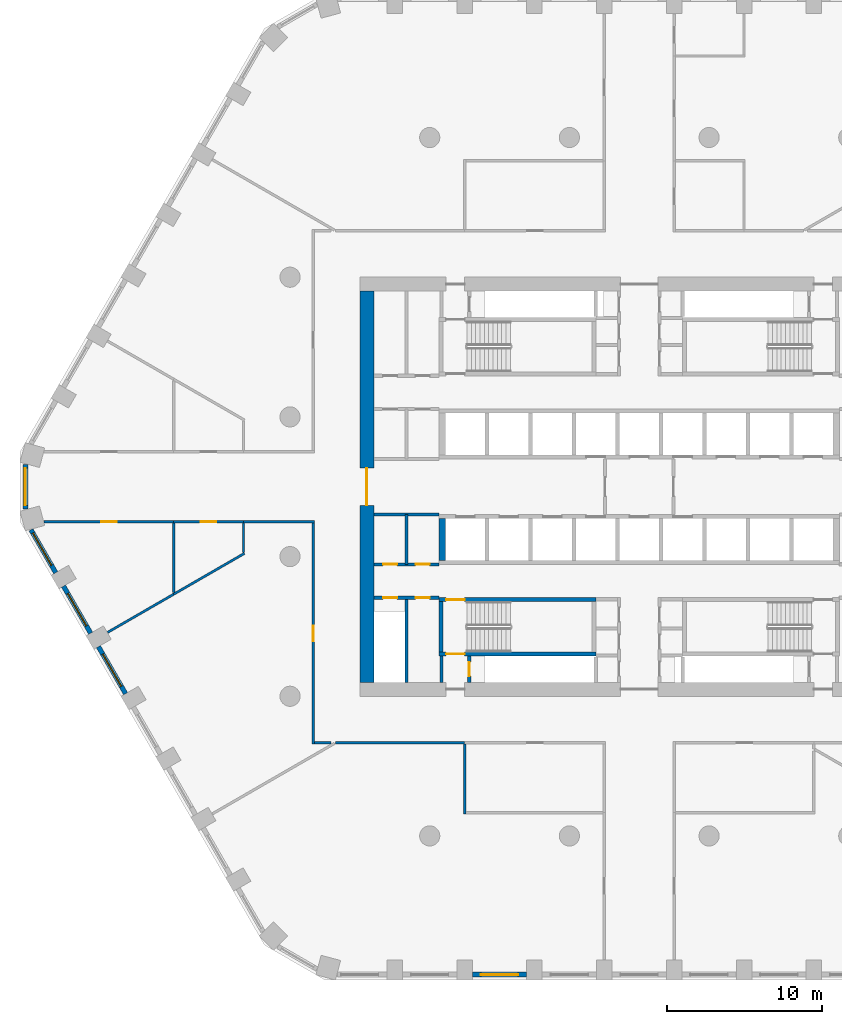
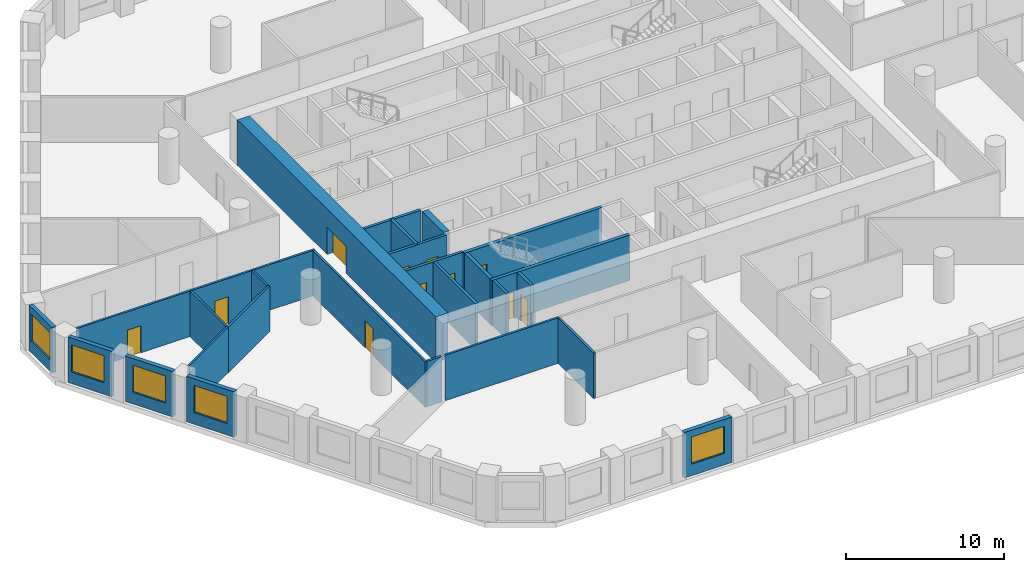
# One storey, part 2 of 10: 28 walls, 11 doors, 5 windows, 16 openings.
"""IFC4 building model written with IfcOpenShell, lengths in metres."""

from ifc_helpers import new_model, si_unit, direction, frame, frame_2d, origin, place, context, subcontext, project, spatial, polyline, rectangle, outline, extrude, material, layer, layer_set, type_object, element, fill, save


model = new_model("IFC4")

# Units and contexts
model_context = context("Model", 3, precision=1e-05, world=origin(), true_north=direction((0.0, 1.0)))
body_context = subcontext(model_context, "Body", "Model", "MODEL_VIEW")
ifc_project = project(units=[si_unit("LENGTHUNIT", "METRE"), si_unit("AREAUNIT", "SQUARE_METRE"), si_unit("VOLUMEUNIT", "CUBIC_METRE"), si_unit("PLANEANGLEUNIT", "RADIAN"), si_unit("MASSUNIT", "GRAM", prefix="KILO")], contexts=[model_context])

# Site, building, storey
site_placement = place(None, origin())
site = spatial("IfcSite", under=ifc_project, at=site_placement, CompositionType="ELEMENT")
building_placement = place(site_placement, origin())
building = spatial("IfcBuilding", under=site, at=building_placement, Name="Dhurran Vertical Campus", CompositionType="ELEMENT")
storey_placement = place(building_placement, frame((0.0, 0.0, 108.60009765625)))
storey = spatial("IfcBuildingStorey", under=building, at=storey_placement, Name="L26", CompositionType="ELEMENT", Elevation=108.60009765625)

# Wall, opening, window
ifc_material_1 = material(Name="Precast concrete C50/60", Category="concrete")
ifc_layer_1 = layer(ifc_material_1, 0.300048828125)
ifc_layer_set_1 = layer_set([ifc_layer_1], Name="Precast concrete C50/60")
wall_type_1 = type_object("IfcWallType", Name="Precast spandrel wall 300", PredefinedType="SOLIDWALL", material=ifc_layer_set_1)
wall_1_placement = place(storey_placement, frame((-10.74951171875, -31.4296875, 0.0), z_axis=(0.0, 0.0, 1.0), x_axis=(1.0, 0.0, 0.0)))
wall_1 = element("IfcWall", 1, at=wall_1_placement, inside=storey, type_object=wall_type_1, Name="EW1 L26.02", PredefinedType="SOLIDWALL", context=body_context, shape_type="SweptSolid", body=[
    extrude(rectangle(XDim=3.4990234375, YDim=0.300048828125, at=frame_2d((1.74951171875, 0.0))), origin(), (0.0, 0.0, 1.0), 3.52490234375),
])
opening_1_placement = place(wall_1_placement, frame((0.549560546875, 0.0, 0.89990234375)))
opening_1 = element("IfcOpeningElement", 2, at=opening_1_placement, cuts=wall_1, Name="Opening WT1", PredefinedType="OPENING", context=body_context, shape_type="SweptSolid", body=[
    extrude(rectangle(XDim=2.39990234375, YDim=2.10009765625, at=frame_2d((1.199951171875, 1.050048828125))), frame((0.0, 0.159912109375, 0.0), z_axis=(0.0, -1.0, 0.0), x_axis=(1.0, 0.0, 0.0)), (0.0, 0.0, 1.0), 0.320068359375),
])
ifc_material_2 = material(Name="Aluminium frame with solar-control glass", Category="aluminium")
window_type = type_object("IfcWindowType", Name="Punched window 2400 x 2100", PartitioningType="SINGLE_PANEL", PredefinedType="WINDOW", material=ifc_material_2)
window_1_placement = place(opening_1_placement, origin())
window_1 = element("IfcWindow", 3, at=window_1_placement, inside=storey, type_object=window_type, Name="WT1 L26.02", OverallHeight=2.10009765625, OverallWidth=2.39990234375, PartitioningType="SINGLE_PANEL", PredefinedType="WINDOW", context=body_context, shape_type="SweptSolid", body=[
    extrude(rectangle(XDim=2.39990234375, YDim=2.10009765625, at=frame_2d((1.199951171875, 1.050048828125))), frame((0.0, 0.030029296875, 0.0), z_axis=(0.0, -1.0, 0.0), x_axis=(1.0, 0.0, 0.0)), (0.0, 0.0, 1.0), 0.06005859375),
])
fill(opening_1, window_1)

wall_2_placement = place(storey_placement, frame((-39.547119140625, 1.44287109375, 0.0), z_axis=(0.0, 0.0, 1.0), x_axis=(0.0, -1.0, 0.0)))
wall_2 = element("IfcWall", 4, at=wall_2_placement, inside=storey, type_object=wall_type_1, Name="EW1 L26.43", PredefinedType="SOLIDWALL", context=body_context, shape_type="SweptSolid", body=[
    extrude(rectangle(XDim=2.8857421875, YDim=0.300048828125, at=frame_2d((1.44287109375, 0.0))), origin(), (0.0, 0.0, 1.0), 3.52490234375),
])
opening_2_placement = place(wall_2_placement, frame((0.242919921875, 0.0, 0.89990234375)))
opening_2 = element("IfcOpeningElement", 5, at=opening_2_placement, cuts=wall_2, Name="Opening WT1", PredefinedType="OPENING", context=body_context, shape_type="SweptSolid", body=[
    extrude(rectangle(XDim=2.39990234375, YDim=2.10009765625, at=frame_2d((1.199951171875, 1.050048828125))), frame((0.0, 0.159912109375, 0.0), z_axis=(0.0, -1.0, 0.0), x_axis=(1.0, 0.0, 0.0)), (0.0, 0.0, 1.0), 0.320068359375),
])
window_2_placement = place(opening_2_placement, origin())
window_2 = element("IfcWindow", 6, at=window_2_placement, inside=storey, type_object=window_type, Name="WT1 L26.43", OverallHeight=2.10009765625, OverallWidth=2.39990234375, PartitioningType="SINGLE_PANEL", PredefinedType="WINDOW", context=body_context, shape_type="SweptSolid", body=[
    extrude(rectangle(XDim=2.39990234375, YDim=2.10009765625, at=frame_2d((1.199951171875, 1.050048828125))), frame((0.0, 0.030029296875, 0.0), z_axis=(0.0, -1.0, 0.0), x_axis=(1.0, 0.0, 0.0)), (0.0, 0.0, 1.0), 0.06005859375),
])
fill(opening_2, window_2)

wall_3_placement = place(storey_placement, frame((-39.1904296875, -2.774169921875, 0.0), z_axis=(0.0, 0.0, 1.0), x_axis=(0.500004907028, -0.866022570692, 0.0)))
wall_3 = element("IfcWall", 7, at=wall_3_placement, inside=storey, type_object=wall_type_1, Name="EW1 L26.44", PredefinedType="SOLIDWALL", context=body_context, shape_type="SweptSolid", body=[
    extrude(rectangle(XDim=3.1923828125, YDim=0.300048828125, at=frame_2d((1.59619140625, 0.0))), origin(), (0.0, 0.0, 1.0), 3.52490234375),
])
opening_3_placement = place(wall_3_placement, frame((0.242919921875, 0.0, 0.89990234375)))
opening_3 = element("IfcOpeningElement", 8, at=opening_3_placement, cuts=wall_3, Name="Opening WT1", PredefinedType="OPENING", context=body_context, shape_type="SweptSolid", body=[
    extrude(rectangle(XDim=2.39990234375, YDim=2.10009765625, at=frame_2d((1.199951171875, 1.050048828125))), frame((0.0, 0.159912109375, 0.0), z_axis=(0.0, -1.0, 0.0), x_axis=(1.0, 0.0, 0.0)), (0.0, 0.0, 1.0), 0.320068359375),
])
window_3_placement = place(opening_3_placement, origin())
window_3 = element("IfcWindow", 9, at=window_3_placement, inside=storey, type_object=window_type, Name="WT1 L26.44", OverallHeight=2.10009765625, OverallWidth=2.39990234375, PartitioningType="SINGLE_PANEL", PredefinedType="WINDOW", context=body_context, shape_type="SweptSolid", body=[
    extrude(rectangle(XDim=2.39990234375, YDim=2.10009765625, at=frame_2d((1.199951171875, 1.050048828125))), frame((0.0, 0.030029296875, 0.0), z_axis=(0.0, -1.0, 0.0), x_axis=(1.0, 0.0, 0.0)), (0.0, 0.0, 1.0), 0.06005859375),
])
fill(opening_3, window_3)

wall_4_placement = place(storey_placement, frame((-37.09375, -6.405517578125, 0.0), z_axis=(0.0, 0.0, 1.0), x_axis=(0.499996256241, -0.866027565234, 0.0)))
wall_4 = element("IfcWall", 10, at=wall_4_placement, inside=storey, type_object=wall_type_1, Name="EW1 L26.45", PredefinedType="SOLIDWALL", context=body_context, shape_type="SweptSolid", body=[
    extrude(rectangle(XDim=3.4990234375, YDim=0.300048828125, at=frame_2d((1.74951171875, 0.0))), origin(), (0.0, 0.0, 1.0), 3.52490234375),
])
opening_4_placement = place(wall_4_placement, frame((0.549560546875, 0.0, 0.89990234375)))
opening_4 = element("IfcOpeningElement", 11, at=opening_4_placement, cuts=wall_4, Name="Opening WT1", PredefinedType="OPENING", context=body_context, shape_type="SweptSolid", body=[
    extrude(rectangle(XDim=2.39990234375, YDim=2.10009765625, at=frame_2d((1.199951171875, 1.050048828125))), frame((0.0, 0.159912109375, 0.0), z_axis=(0.0, -1.0, 0.0), x_axis=(1.0, 0.0, 0.0)), (0.0, 0.0, 1.0), 0.320068359375),
])
window_4_placement = place(opening_4_placement, origin())
window_4 = element("IfcWindow", 12, at=window_4_placement, inside=storey, type_object=window_type, Name="WT1 L26.45", OverallHeight=2.10009765625, OverallWidth=2.39990234375, PartitioningType="SINGLE_PANEL", PredefinedType="WINDOW", context=body_context, shape_type="SweptSolid", body=[
    extrude(rectangle(XDim=2.39990234375, YDim=2.10009765625, at=frame_2d((1.199951171875, 1.050048828125))), frame((0.0, 0.030029296875, 0.0), z_axis=(0.0, -1.0, 0.0), x_axis=(1.0, 0.0, 0.0)), (0.0, 0.0, 1.0), 0.06005859375),
])
fill(opening_4, window_4)

wall_5_placement = place(storey_placement, frame((-34.84375, -10.302734375, 0.0), z_axis=(0.0, 0.0, 1.0), x_axis=(0.499996256241, -0.866027565234, 0.0)))
wall_5 = element("IfcWall", 13, at=wall_5_placement, inside=storey, type_object=wall_type_1, Name="EW1 L26.46", PredefinedType="SOLIDWALL", context=body_context, shape_type="SweptSolid", body=[
    extrude(rectangle(XDim=3.4990234375, YDim=0.300048828125, at=frame_2d((1.74951171875, 0.0))), origin(), (0.0, 0.0, 1.0), 3.52490234375),
])
opening_5_placement = place(wall_5_placement, frame((0.549560546875, 0.0, 0.89990234375)))
opening_5 = element("IfcOpeningElement", 14, at=opening_5_placement, cuts=wall_5, Name="Opening WT1", PredefinedType="OPENING", context=body_context, shape_type="SweptSolid", body=[
    extrude(rectangle(XDim=2.39990234375, YDim=2.10009765625, at=frame_2d((1.199951171875, 1.050048828125))), frame((0.0, 0.159912109375, 0.0), z_axis=(0.0, -1.0, 0.0), x_axis=(1.0, 0.0, 0.0)), (0.0, 0.0, 1.0), 0.320068359375),
])
window_5_placement = place(opening_5_placement, origin())
window_5 = element("IfcWindow", 15, at=window_5_placement, inside=storey, type_object=window_type, Name="WT1 L26.46", OverallHeight=2.10009765625, OverallWidth=2.39990234375, PartitioningType="SINGLE_PANEL", PredefinedType="WINDOW", context=body_context, shape_type="SweptSolid", body=[
    extrude(rectangle(XDim=2.39990234375, YDim=2.10009765625, at=frame_2d((1.199951171875, 1.050048828125))), frame((0.0, 0.030029296875, 0.0), z_axis=(0.0, -1.0, 0.0), x_axis=(1.0, 0.0, 0.0)), (0.0, 0.0, 1.0), 0.06005859375),
])
fill(opening_5, window_5)

# Wall, opening, door
ifc_material_3 = material(Name="Concrete C60/75", Category="concrete")
ifc_layer_2 = layer(ifc_material_3, 0.89990234375)
ifc_layer_set_2 = layer_set([ifc_layer_2], Name="Concrete C60/75")
wall_type_2 = type_object("IfcWallType", Name="co-CORE-WALL-C0-900", PredefinedType="SHEAR", material=ifc_layer_set_2)
wall_6_placement = place(storey_placement, frame((-17.550048828125, -12.60009765625, 0.0), z_axis=(0.0, 0.0, 1.0), x_axis=(0.0, 1.0, 0.0)))
wall_6 = element("IfcWall", 16, at=wall_6_placement, inside=storey, type_object=wall_type_2, Name="Core wall W L26", PredefinedType="SHEAR", context=body_context, shape_type="SweptSolid", body=[
    extrude(rectangle(XDim=25.2001953125, YDim=0.89990234375, at=frame_2d((12.60009765625, 0.0))), origin(), (0.0, 0.0, 1.0), 3.52490234375),
])
opening_6_placement = place(wall_6_placement, frame((11.39990234375, 0.0, 0.0)))
opening_6 = element("IfcOpeningElement", 17, at=opening_6_placement, cuts=wall_6, Name="Opening CL1", PredefinedType="OPENING", context=body_context, shape_type="SweptSolid", body=[
    extrude(rectangle(XDim=2.39990234375, YDim=2.10009765625, at=frame_2d((1.199951171875, 1.050048828125))), frame((0.0, 0.4599609375, 0.0), z_axis=(0.0, -1.0, 0.0), x_axis=(1.0, 0.0, 0.0)), (0.0, 0.0, 1.0), 0.919921875),
])
ifc_material_4 = material(Name="Fire-rated glazed door set")
door_type_1 = type_object("IfcDoorType", Name="co-D-LOBBY 2400x2100", OperationType="DOUBLE_DOOR_DOUBLE_SWING", PredefinedType="DOOR", material=ifc_material_4)
door_1_placement = place(opening_6_placement, origin())
door_1 = element("IfcDoor", 18, at=door_1_placement, inside=storey, type_object=door_type_1, Name="Lift lobby door W L26", OperationType="DOUBLE_DOOR_DOUBLE_SWING", OverallHeight=2.10009765625, OverallWidth=2.39990234375, PredefinedType="DOOR", context=body_context, shape_type="SweptSolid", body=[
    extrude(rectangle(XDim=2.39990234375, YDim=2.10009765625, at=frame_2d((1.199951171875, 1.050048828125))), frame((0.0, 0.02490234375, 0.0), z_axis=(0.0, -1.0, 0.0), x_axis=(1.0, 0.0, 0.0)), (0.0, 0.0, 1.0), 0.050048828125),
])
fill(opening_6, door_1)

# Wall
ifc_material_5 = material(Name="Fire-rated masonry blockwork", Category="masonry")
ifc_layer_3 = layer(ifc_material_5, 0.199951171875)
ifc_layer_set_3 = layer_set([ifc_layer_3], Name="Fire-rated masonry blockwork")
wall_type_3 = type_object("IfcWallType", Name="co-FIRE-PARTITION-200", PredefinedType="PARTITIONING", material=ifc_layer_set_3)
wall_7_placement = place(storey_placement, frame((-12.75, -12.60009765625, 0.0), z_axis=(0.0, 0.0, 1.0), x_axis=(0.0, 1.0, 0.0)))
element("IfcWall", 19, at=wall_7_placement, inside=storey, type_object=wall_type_3, Name="Core partition pass-ST3-o L26", PredefinedType="PARTITIONING", context=body_context, shape_type="SweptSolid", body=[
    extrude(rectangle(XDim=1.7001953125, YDim=0.199951171875, at=frame_2d((0.85009765625, 0.0))), origin(), (0.0, 0.0, 1.0), 3.52490234375),
])

# Wall, opening, door
wall_8_placement = place(storey_placement, frame((-10.949951171875, -12.60009765625, 0.0), z_axis=(0.0, 0.0, 1.0), x_axis=(0.0, 1.0, 0.0)))
wall_8 = element("IfcWall", 20, at=wall_8_placement, inside=storey, type_object=wall_type_3, Name="Core partition pass-ST3-i L26", PredefinedType="PARTITIONING", context=body_context, shape_type="SweptSolid", body=[
    extrude(rectangle(XDim=1.7001953125, YDim=0.199951171875, at=frame_2d((0.85009765625, 0.0))), origin(), (0.0, 0.0, 1.0), 3.52490234375),
])
opening_7_placement = place(wall_8_placement, frame((0.39990234375, 0.0, 0.0)))
opening_7 = element("IfcOpeningElement", 21, at=opening_7_placement, cuts=wall_8, Name="Opening T07-C15", PredefinedType="OPENING", context=body_context, shape_type="SweptSolid", body=[
    extrude(rectangle(XDim=0.89990234375, YDim=2.10009765625, at=frame_2d((0.449951171875, 1.050048828125))), frame((0.0, 0.10986328125, 0.0), z_axis=(0.0, -1.0, 0.0), x_axis=(1.0, 0.0, 0.0)), (0.0, 0.0, 1.0), 0.219970703125),
])
ifc_material_6 = material(Name="Fire-rated timber door set", Category="wood")
door_type_2 = type_object("IfcDoorType", Name="co-D-ROOM 900x2100", OperationType="SINGLE_SWING_LEFT", PredefinedType="DOOR", material=ifc_material_6)
door_2_placement = place(opening_7_placement, origin())
door_2 = element("IfcDoor", 22, at=door_2_placement, inside=storey, type_object=door_type_2, Name="Riser room door L26", OperationType="SINGLE_SWING_LEFT", OverallHeight=2.10009765625, OverallWidth=0.89990234375, PredefinedType="DOOR", context=body_context, shape_type="SweptSolid", body=[
    extrude(rectangle(XDim=0.89990234375, YDim=2.10009765625, at=frame_2d((0.449951171875, 1.050048828125))), frame((0.0, 0.02490234375, 0.0), z_axis=(0.0, -1.0, 0.0), x_axis=(1.0, 0.0, 0.0)), (0.0, 0.0, 1.0), 0.050048828125),
])
fill(opening_7, door_2)

# Wall
wall_9_placement = place(storey_placement, frame((-15.0, -12.60009765625, 0.0), z_axis=(0.0, 0.0, 1.0), x_axis=(0.0, 1.0, 0.0)))
element("IfcWall", 23, at=wall_9_placement, inside=storey, type_object=wall_type_3, Name="Core partition en-SW-cut0 L26", PredefinedType="PARTITIONING", context=body_context, shape_type="SweptSolid", body=[
    extrude(rectangle(XDim=5.4501953125, YDim=0.199951171875, at=frame_2d((2.72509765625, 0.0))), origin(), (0.0, 0.0, 1.0), 3.52490234375),
])

# Wall, openings, doors
wall_10_placement = place(storey_placement, frame((-17.10009765625, -7.14990234375, 0.0), z_axis=(0.0, 0.0, 1.0), x_axis=(1.0, 0.0, 0.0)))
wall_10 = element("IfcWall", 24, at=wall_10_placement, inside=storey, type_object=wall_type_3, Name="Core partition en-SW-w L26", PredefinedType="PARTITIONING", context=body_context, shape_type="SweptSolid", body=[
    extrude(rectangle(XDim=4.2001953125, YDim=0.199951171875, at=frame_2d((2.10009765625, 0.0))), origin(), (0.0, 0.0, 1.0), 3.52490234375),
])
opening_8_placement = place(wall_10_placement, frame((0.60009765625, 0.0, 0.0)))
opening_8 = element("IfcOpeningElement", 25, at=opening_8_placement, cuts=wall_10, Name="Opening T07-C24", PredefinedType="OPENING", context=body_context, shape_type="SweptSolid", body=[
    extrude(rectangle(XDim=0.89990234375, YDim=2.10009765625, at=frame_2d((0.449951171875, 1.050048828125))), frame((0.0, 0.10986328125, 0.0), z_axis=(0.0, -1.0, 0.0), x_axis=(1.0, 0.0, 0.0)), (0.0, 0.0, 1.0), 0.219970703125),
])
opening_9_placement = place(wall_10_placement, frame((2.699951171875, 0.0, 0.0)))
opening_9 = element("IfcOpeningElement", 26, at=opening_9_placement, cuts=wall_10, Name="Opening T07-C25", PredefinedType="OPENING", context=body_context, shape_type="SweptSolid", body=[
    extrude(rectangle(XDim=0.89990234375, YDim=2.10009765625, at=frame_2d((0.449951171875, 1.050048828125))), frame((0.0, 0.10986328125, 0.0), z_axis=(0.0, -1.0, 0.0), x_axis=(1.0, 0.0, 0.0)), (0.0, 0.0, 1.0), 0.219970703125),
])
door_3_placement = place(opening_8_placement, origin())
door_3 = element("IfcDoor", 27, at=door_3_placement, inside=storey, type_object=door_type_2, Name="Water riser door L26", OperationType="SINGLE_SWING_LEFT", OverallHeight=2.10009765625, OverallWidth=0.89990234375, PredefinedType="DOOR", context=body_context, shape_type="SweptSolid", body=[
    extrude(rectangle(XDim=0.89990234375, YDim=2.10009765625, at=frame_2d((0.449951171875, 1.050048828125))), frame((0.0, 0.02490234375, 0.0), z_axis=(0.0, -1.0, 0.0), x_axis=(1.0, 0.0, 0.0)), (0.0, 0.0, 1.0), 0.050048828125),
])
fill(opening_8, door_3)
door_4_placement = place(opening_9_placement, origin())
door_4 = element("IfcDoor", 28, at=door_4_placement, inside=storey, type_object=door_type_2, Name="Fire equipment store door L26", OperationType="SINGLE_SWING_LEFT", OverallHeight=2.10009765625, OverallWidth=0.89990234375, PredefinedType="DOOR", context=body_context, shape_type="SweptSolid", body=[
    extrude(rectangle(XDim=0.89990234375, YDim=2.10009765625, at=frame_2d((0.449951171875, 1.050048828125))), frame((0.0, 0.02490234375, 0.0), z_axis=(0.0, -1.0, 0.0), x_axis=(1.0, 0.0, 0.0)), (0.0, 0.0, 1.0), 0.050048828125),
])
fill(opening_9, door_4)

# Wall
wall_11_placement = place(storey_placement, frame((-15.0, -5.0, 0.0), z_axis=(0.0, 0.0, 1.0), x_axis=(0.0, 1.0, 0.0)))
element("IfcWall", 29, at=wall_11_placement, inside=storey, type_object=wall_type_3, Name="Core partition es-SW-cut0 L26", PredefinedType="PARTITIONING", context=body_context, shape_type="SweptSolid", body=[
    extrude(rectangle(XDim=3.199951171875, YDim=0.199951171875, at=frame_2d((1.60009765625, 0.0))), origin(), (0.0, 0.0, 1.0), 3.52490234375),
])

# Wall, openings, doors
wall_12_placement = place(storey_placement, frame((-17.10009765625, -5.0, 0.0), z_axis=(0.0, 0.0, 1.0), x_axis=(1.0, 0.0, 0.0)))
wall_12 = element("IfcWall", 30, at=wall_12_placement, inside=storey, type_object=wall_type_3, Name="Core partition es-SW-w L26", PredefinedType="PARTITIONING", context=body_context, shape_type="SweptSolid", body=[
    extrude(rectangle(XDim=4.2001953125, YDim=0.199951171875, at=frame_2d((2.10009765625, 0.0))), origin(), (0.0, 0.0, 1.0), 3.52490234375),
])
opening_10_placement = place(wall_12_placement, frame((0.60009765625, 0.0, 0.0)))
opening_10 = element("IfcOpeningElement", 31, at=opening_10_placement, cuts=wall_12, Name="Opening T07-C26", PredefinedType="OPENING", context=body_context, shape_type="SweptSolid", body=[
    extrude(rectangle(XDim=0.89990234375, YDim=2.10009765625, at=frame_2d((0.449951171875, 1.050048828125))), frame((0.0, 0.10986328125, 0.0), z_axis=(0.0, -1.0, 0.0), x_axis=(1.0, 0.0, 0.0)), (0.0, 0.0, 1.0), 0.219970703125),
])
opening_11_placement = place(wall_12_placement, frame((2.699951171875, 0.0, 0.0)))
opening_11 = element("IfcOpeningElement", 32, at=opening_11_placement, cuts=wall_12, Name="Opening T07-C27", PredefinedType="OPENING", context=body_context, shape_type="SweptSolid", body=[
    extrude(rectangle(XDim=0.89990234375, YDim=2.10009765625, at=frame_2d((0.449951171875, 1.050048828125))), frame((0.0, 0.10986328125, 0.0), z_axis=(0.0, -1.0, 0.0), x_axis=(1.0, 0.0, 0.0)), (0.0, 0.0, 1.0), 0.219970703125),
])
door_5_placement = place(opening_10_placement, origin())
door_5 = element("IfcDoor", 33, at=door_5_placement, inside=storey, type_object=door_type_2, Name="Print room door L26", OperationType="SINGLE_SWING_LEFT", OverallHeight=2.10009765625, OverallWidth=0.89990234375, PredefinedType="DOOR", context=body_context, shape_type="SweptSolid", body=[
    extrude(rectangle(XDim=0.89990234375, YDim=2.10009765625, at=frame_2d((0.449951171875, 1.050048828125))), frame((0.0, 0.02490234375, 0.0), z_axis=(0.0, -1.0, 0.0), x_axis=(1.0, 0.0, 0.0)), (0.0, 0.0, 1.0), 0.050048828125),
])
fill(opening_10, door_5)
door_6_placement = place(opening_11_placement, origin())
door_6 = element("IfcDoor", 34, at=door_6_placement, inside=storey, type_object=door_type_2, Name="Housekeeping store door L26", OperationType="SINGLE_SWING_LEFT", OverallHeight=2.10009765625, OverallWidth=0.89990234375, PredefinedType="DOOR", context=body_context, shape_type="SweptSolid", body=[
    extrude(rectangle(XDim=0.89990234375, YDim=2.10009765625, at=frame_2d((0.449951171875, 1.050048828125))), frame((0.0, 0.02490234375, 0.0), z_axis=(0.0, -1.0, 0.0), x_axis=(1.0, 0.0, 0.0)), (0.0, 0.0, 1.0), 0.050048828125),
])
fill(opening_11, door_6)

# Walls
wall_13_placement = place(storey_placement, frame((-17.10009765625, -1.800048828125, 0.0), z_axis=(0.0, 0.0, 1.0), x_axis=(1.0, 0.0, 0.0)))
element("IfcWall", 35, at=wall_13_placement, inside=storey, type_object=wall_type_3, Name="Core partition es-SW-l L26", PredefinedType="PARTITIONING", context=body_context, shape_type="SweptSolid", body=[
    extrude(rectangle(XDim=4.2001953125, YDim=0.199951171875, at=frame_2d((2.10009765625, 0.0))), origin(), (0.0, 0.0, 1.0), 3.52490234375),
])
ifc_material_7 = material(Name="Concrete C50/60", Category="concrete")
ifc_layer_4 = layer(ifc_material_7, 0.25)
ifc_layer_set_4 = layer_set([ifc_layer_4], Name="Concrete C50/60")
wall_type_4 = type_object("IfcWallType", Name="co-SHAFT-MASS-250", PredefinedType="SHEAR", material=ifc_layer_set_4)
wall_14_placement = place(storey_placement, origin())
element("IfcWall", 36, at=wall_14_placement, inside=storey, type_object=wall_type_4, Name="Lift shaft wall S L26 2", PredefinedType="SHEAR", context=body_context, shape_type="SweptSolid", body=[
    extrude(outline(polyline([(-12.89990234375, -4.75), (-12.47509765625, -4.75), (-12.47509765625, -2.050048828125), (-12.89990234375, -2.050048828125), (-12.89990234375, -4.75)])), origin(), (0.0, 0.0, 1.0), 3.52490234375),
])

# Wall, opening, door
ifc_material_8 = material(Name="Concrete C40/50", Category="concrete")
ifc_layer_5 = layer(ifc_material_8, 0.25)
ifc_layer_set_5 = layer_set([ifc_layer_5], Name="Concrete C40/50")
wall_type_5 = type_object("IfcWallType", Name="co-STAIR-WALL-250", PredefinedType="SHEAR", material=ifc_layer_set_5)
wall_15_placement = place(storey_placement, frame((-12.89990234375, -10.77490234375, 0.0), z_axis=(0.0, 0.0, 1.0), x_axis=(1.0, 0.0, 0.0)))
wall_15 = element("IfcWall", 37, at=wall_15_placement, inside=storey, type_object=wall_type_5, Name="Stair ST3 enclosure wall L26", PredefinedType="SHEAR", context=body_context, shape_type="SweptSolid", body=[
    extrude(rectangle(XDim=10.099853515625, YDim=0.25, at=frame_2d((5.0498046875, 0.0))), origin(), (0.0, 0.0, 1.0), 3.52490234375),
])
opening_12_placement = place(wall_15_placement, frame((0.449951171875, 0.0, 0.0)))
opening_12 = element("IfcOpeningElement", 38, at=opening_12_placement, cuts=wall_15, Name="Opening XS3", PredefinedType="OPENING", context=body_context, shape_type="SweptSolid", body=[
    extrude(rectangle(XDim=1.199951171875, YDim=2.10009765625, at=frame_2d((0.60009765625, 1.050048828125))), frame((0.0, 0.135009765625, 0.0), z_axis=(0.0, -1.0, 0.0), x_axis=(1.0, 0.0, 0.0)), (0.0, 0.0, 1.0), 0.27001953125),
])
ifc_material_9 = material(Name="Fire-rated steel door set", Category="steel")
door_type_3 = type_object("IfcDoorType", Name="co-D-STAIR-EXIT 1200x2100", OperationType="SINGLE_SWING_RIGHT", PredefinedType="DOOR", material=ifc_material_9)
door_7_placement = place(opening_12_placement, origin())
door_7 = element("IfcDoor", 39, at=door_7_placement, inside=storey, type_object=door_type_3, Name="Stair ST3 discharge door L26", OperationType="SINGLE_SWING_RIGHT", OverallHeight=2.10009765625, OverallWidth=1.199951171875, PredefinedType="DOOR", context=body_context, shape_type="SweptSolid", body=[
    extrude(rectangle(XDim=1.199951171875, YDim=2.10009765625, at=frame_2d((0.60009765625, 1.050048828125))), frame((0.0, 0.02490234375, 0.0), z_axis=(0.0, -1.0, 0.0), x_axis=(1.0, 0.0, 0.0)), (0.0, 0.0, 1.0), 0.050048828125),
])
fill(opening_12, door_7)

wall_16_placement = place(storey_placement, frame((-12.89990234375, -7.27490234375, 0.0), z_axis=(0.0, 0.0, 1.0), x_axis=(1.0, 0.0, 0.0)))
wall_16 = element("IfcWall", 40, at=wall_16_placement, inside=storey, type_object=wall_type_5, Name="Stair ST3 enclosure wall L26", PredefinedType="SHEAR", context=body_context, shape_type="SweptSolid", body=[
    extrude(rectangle(XDim=10.099853515625, YDim=0.25, at=frame_2d((5.0498046875, 0.0))), origin(), (0.0, 0.0, 1.0), 3.52490234375),
])
opening_13_placement = place(wall_16_placement, frame((0.449951171875, 0.0, 0.0)))
opening_13 = element("IfcOpeningElement", 41, at=opening_13_placement, cuts=wall_16, Name="Opening SD3", PredefinedType="OPENING", context=body_context, shape_type="SweptSolid", body=[
    extrude(rectangle(XDim=1.199951171875, YDim=2.10009765625, at=frame_2d((0.60009765625, 1.050048828125))), frame((0.0, 0.135009765625, 0.0), z_axis=(0.0, -1.0, 0.0), x_axis=(1.0, 0.0, 0.0)), (0.0, 0.0, 1.0), 0.27001953125),
])
ifc_material_10 = material(Name="Fire-rated steel door set", Category="steel")
door_type_4 = type_object("IfcDoorType", Name="co-D-STAIR 1200x2100", OperationType="SINGLE_SWING_LEFT", PredefinedType="DOOR", material=ifc_material_10)
door_8_placement = place(opening_13_placement, origin())
door_8 = element("IfcDoor", 42, at=door_8_placement, inside=storey, type_object=door_type_4, Name="Stair ST3 door L26", OperationType="SINGLE_SWING_LEFT", OverallHeight=2.10009765625, OverallWidth=1.199951171875, PredefinedType="DOOR", context=body_context, shape_type="SweptSolid", body=[
    extrude(rectangle(XDim=1.199951171875, YDim=2.10009765625, at=frame_2d((0.60009765625, 1.050048828125))), frame((0.0, 0.02490234375, 0.0), z_axis=(0.0, -1.0, 0.0), x_axis=(1.0, 0.0, 0.0)), (0.0, 0.0, 1.0), 0.050048828125),
])
fill(opening_13, door_8)

# Wall
wall_17_placement = place(storey_placement, frame((-12.77490234375, -10.64990234375, 0.0), z_axis=(0.0, 0.0, 1.0), x_axis=(0.0, 1.0, 0.0)))
element("IfcWall", 43, at=wall_17_placement, inside=storey, type_object=wall_type_5, Name="Stair ST3 enclosure wall L26", PredefinedType="SHEAR", context=body_context, shape_type="SweptSolid", body=[
    extrude(rectangle(XDim=3.25, YDim=0.25, at=frame_2d((1.625, 0.0))), origin(), (0.0, 0.0, 1.0), 3.52490234375),
])

# Wall, opening, door
ifc_material_11 = material(Name="Gypsum board corridor wall on steel studs", Category="steel")
ifc_layer_6 = layer(ifc_material_11, 0.14990234375)
ifc_layer_set_6 = layer_set([ifc_layer_6], Name="Gypsum board corridor wall on steel studs")
wall_type_6 = type_object("IfcWallType", Name="fl-CW-150 corridor wall", PredefinedType="PARTITIONING", material=ifc_layer_set_6)
wall_18_placement = place(storey_placement, frame((-30.0, -2.25, 0.0), z_axis=(0.0, 0.0, 1.0), x_axis=(-1.0, 0.0, 0.0)))
wall_18 = element("IfcWall", 44, at=wall_18_placement, inside=storey, type_object=wall_type_6, Name="Partition 26-01", PredefinedType="PARTITIONING", context=body_context, shape_type="SweptSolid", body=[
    extrude(rectangle(XDim=8.35009765625, YDim=0.14990234375, at=frame_2d((4.175048828125, 0.0))), origin(), (0.0, 0.0, 1.0), 3.52490234375),
])
opening_14_placement = place(wall_18_placement, frame((3.675048828125, 0.0, 0.0)))
opening_14 = element("IfcOpeningElement", 45, at=opening_14_placement, cuts=wall_18, Name="Opening T07.01", PredefinedType="OPENING", context=body_context, shape_type="SweptSolid", body=[
    extrude(rectangle(XDim=1.0, YDim=2.10009765625, at=frame_2d((0.5, 1.050048828125))), frame((0.0, 0.0849609375, 0.0), z_axis=(0.0, -1.0, 0.0), x_axis=(1.0, 0.0, 0.0)), (0.0, 0.0, 1.0), 0.169921875),
])
ifc_material_12 = material(Name="Solid-core timber door set, fire-rated", Category="wood")
door_type_5 = type_object("IfcDoorType", Name="fl-D-1000x2100", OperationType="SINGLE_SWING_LEFT", PredefinedType="DOOR", material=ifc_material_12)
door_9_placement = place(opening_14_placement, origin())
door_9 = element("IfcDoor", 46, at=door_9_placement, inside=storey, type_object=door_type_5, Name="Door 26.01", OperationType="SINGLE_SWING_RIGHT", OverallHeight=2.10009765625, OverallWidth=1.0, PredefinedType="DOOR", context=body_context, shape_type="SweptSolid", body=[
    extrude(rectangle(XDim=1.0, YDim=2.10009765625, at=frame_2d((0.5, 1.050048828125))), frame((0.0, 0.02490234375, 0.0), z_axis=(0.0, -1.0, 0.0), x_axis=(1.0, 0.0, 0.0)), (0.0, 0.0, 1.0), 0.050048828125),
])
fill(opening_14, door_9)

wall_19_placement = place(storey_placement, frame((-25.5, -2.25, 0.0), z_axis=(0.0, 0.0, 1.0), x_axis=(-1.0, 0.0, 0.0)))
wall_19 = element("IfcWall", 47, at=wall_19_placement, inside=storey, type_object=wall_type_6, Name="Partition 26-07", PredefinedType="PARTITIONING", context=body_context, shape_type="SweptSolid", body=[
    extrude(rectangle(XDim=4.5, YDim=0.14990234375, at=frame_2d((2.25, 0.0))), origin(), (0.0, 0.0, 1.0), 3.52490234375),
])
opening_15_placement = place(wall_19_placement, frame((1.75, 0.0, 0.0)))
opening_15 = element("IfcOpeningElement", 48, at=opening_15_placement, cuts=wall_19, Name="Opening T07.03", PredefinedType="OPENING", context=body_context, shape_type="SweptSolid", body=[
    extrude(rectangle(XDim=1.0, YDim=2.10009765625, at=frame_2d((0.5, 1.050048828125))), frame((0.0, 0.0849609375, 0.0), z_axis=(0.0, -1.0, 0.0), x_axis=(1.0, 0.0, 0.0)), (0.0, 0.0, 1.0), 0.169921875),
])
door_10_placement = place(opening_15_placement, origin())
door_10 = element("IfcDoor", 49, at=door_10_placement, inside=storey, type_object=door_type_5, Name="Door 26.03", OperationType="SINGLE_SWING_RIGHT", OverallHeight=2.10009765625, OverallWidth=1.0, PredefinedType="DOOR", context=body_context, shape_type="SweptSolid", body=[
    extrude(rectangle(XDim=1.0, YDim=2.10009765625, at=frame_2d((0.5, 1.050048828125))), frame((0.0, 0.02490234375, 0.0), z_axis=(0.0, -1.0, 0.0), x_axis=(1.0, 0.0, 0.0)), (0.0, 0.0, 1.0), 0.050048828125),
])
fill(opening_15, door_10)

# Wall
wall_20_placement = place(storey_placement, frame((-20.925048828125, -2.25, 0.0), z_axis=(0.0, 0.0, 1.0), x_axis=(-1.0, 0.0, 0.0)))
element("IfcWall", 50, at=wall_20_placement, inside=storey, type_object=wall_type_6, Name="Partition 26-14", PredefinedType="PARTITIONING", context=body_context, shape_type="SweptSolid", body=[
    extrude(rectangle(XDim=4.574951171875, YDim=0.14990234375, at=frame_2d((2.28759765625, 0.0))), origin(), (0.0, 0.0, 1.0), 3.52490234375),
])

# Wall, opening, door
wall_21_placement = place(storey_placement, frame((-21.0, -2.324951171875, 0.0), z_axis=(0.0, 0.0, 1.0), x_axis=(0.0, -1.0, 0.0)))
wall_21 = element("IfcWall", 51, at=wall_21_placement, inside=storey, type_object=wall_type_6, Name="Partition 26-17", PredefinedType="PARTITIONING", context=body_context, shape_type="SweptSolid", body=[
    extrude(rectangle(XDim=14.25, YDim=0.14990234375, at=frame_2d((7.125, 0.0))), origin(), (0.0, 0.0, 1.0), 3.52490234375),
])
opening_16_placement = place(wall_21_placement, frame((6.625, 0.0, 0.0)))
opening_16 = element("IfcOpeningElement", 52, at=opening_16_placement, cuts=wall_21, Name="Opening T07.05", PredefinedType="OPENING", context=body_context, shape_type="SweptSolid", body=[
    extrude(rectangle(XDim=1.0, YDim=2.10009765625, at=frame_2d((0.5, 1.050048828125))), frame((0.0, 0.0849609375, 0.0), z_axis=(0.0, -1.0, 0.0), x_axis=(1.0, 0.0, 0.0)), (0.0, 0.0, 1.0), 0.169921875),
])
door_11_placement = place(opening_16_placement, origin())
door_11 = element("IfcDoor", 53, at=door_11_placement, inside=storey, type_object=door_type_5, Name="Door 26.05", OperationType="SINGLE_SWING_RIGHT", OverallHeight=2.10009765625, OverallWidth=1.0, PredefinedType="DOOR", context=body_context, shape_type="SweptSolid", body=[
    extrude(rectangle(XDim=1.0, YDim=2.10009765625, at=frame_2d((0.5, 1.050048828125))), frame((0.0, 0.02490234375, 0.0), z_axis=(0.0, -1.0, 0.0), x_axis=(1.0, 0.0, 0.0)), (0.0, 0.0, 1.0), 0.050048828125),
])
fill(opening_16, door_11)

# Walls
wall_22_placement = place(storey_placement, frame((-20.925048828125, -16.5, 0.0), z_axis=(0.0, 0.0, 1.0), x_axis=(1.0, 0.0, 0.0)))
element("IfcWall", 54, at=wall_22_placement, inside=storey, type_object=wall_type_6, Name="Partition 26-18", PredefinedType="PARTITIONING", context=body_context, shape_type="SweptSolid", body=[
    extrude(rectangle(XDim=1.071044921875, YDim=0.14990234375, at=frame_2d((0.53564453125, 0.0))), origin(), (0.0, 0.0, 1.0), 3.52490234375),
])
wall_23_placement = place(storey_placement, frame((-19.5791015625, -16.5, 0.0), z_axis=(0.0, 0.0, 1.0), x_axis=(1.0, 0.0, 0.0)))
element("IfcWall", 55, at=wall_23_placement, inside=storey, type_object=wall_type_6, Name="Partition 26-21", PredefinedType="PARTITIONING", context=body_context, shape_type="SweptSolid", body=[
    extrude(rectangle(XDim=8.3291015625, YDim=0.14990234375, at=frame_2d((4.16455078125, 0.0))), origin(), (0.0, 0.0, 1.0), 3.52490234375),
])
ifc_material_13 = material(Name="Gypsum board partition on steel studs", Category="steel")
ifc_layer_7 = layer(ifc_material_13, 0.14990234375)
ifc_layer_set_7 = layer_set([ifc_layer_7], Name="Gypsum board partition on steel studs")
wall_type_7 = type_object("IfcWallType", Name="fl-PW-150 fixed partition", PredefinedType="PARTITIONING", material=ifc_layer_set_7)
wall_24_placement = place(storey_placement, frame((-30.0, -6.927978515625, 0.0), z_axis=(0.0, 0.0, 1.0), x_axis=(-0.865998524286, -0.500046553767, 0.0)))
element("IfcWall", 56, at=wall_24_placement, inside=storey, type_object=wall_type_7, Name="Partition 26-03", PredefinedType="PARTITIONING", context=body_context, shape_type="SweptSolid", body=[
    extrude(rectangle(XDim=4.912109375, YDim=0.14990234375, at=frame_2d((2.4560546875, 0.0))), origin(), (0.0, 0.0, 1.0), 3.52490234375),
])
wall_25_placement = place(storey_placement, frame((-30.0, -2.324951171875, 0.0), z_axis=(0.0, 0.0, 1.0), x_axis=(0.0, -1.0, 0.0)))
element("IfcWall", 57, at=wall_25_placement, inside=storey, type_object=wall_type_7, Name="Partition 26-05", PredefinedType="PARTITIONING", context=body_context, shape_type="SweptSolid", body=[
    extrude(rectangle(XDim=4.47314453125, YDim=0.14990234375, at=frame_2d((2.236572265625, 0.0))), origin(), (0.0, 0.0, 1.0), 3.52490234375),
])
wall_26_placement = place(storey_placement, frame((-25.43505859375, -4.29248046875, 0.0), z_axis=(0.0, 0.0, 1.0), x_axis=(-0.866031326857, -0.499989740797, 0.0)))
element("IfcWall", 58, at=wall_26_placement, inside=storey, type_object=wall_type_7, Name="Partition 26-06", PredefinedType="PARTITIONING", context=body_context, shape_type="SweptSolid", body=[
    extrude(rectangle(XDim=5.27099609375, YDim=0.14990234375, at=frame_2d((2.635498046875, 0.0))), origin(), (0.0, 0.0, 1.0), 3.52490234375),
])
wall_27_placement = place(storey_placement, frame((-25.5, -2.324951171875, 0.0), z_axis=(0.0, 0.0, 1.0), x_axis=(0.0, -1.0, 0.0)))
element("IfcWall", 59, at=wall_27_placement, inside=storey, type_object=wall_type_7, Name="Partition 26-13", PredefinedType="PARTITIONING", context=body_context, shape_type="SweptSolid", body=[
    extrude(rectangle(XDim=1.905029296875, YDim=0.14990234375, at=frame_2d((0.95263671875, 0.0))), origin(), (0.0, 0.0, 1.0), 3.52490234375),
])
wall_28_placement = place(storey_placement, frame((-11.25, -16.574951171875, 0.0), z_axis=(0.0, 0.0, 1.0), x_axis=(0.0, -1.0, 0.0)))
element("IfcWall", 60, at=wall_28_placement, inside=storey, type_object=wall_type_7, Name="Partition 26-23", PredefinedType="PARTITIONING", context=body_context, shape_type="SweptSolid", body=[
    extrude(rectangle(XDim=4.5, YDim=0.14990234375, at=frame_2d((2.25, 0.0))), origin(), (0.0, 0.0, 1.0), 3.52490234375),
])

save(model, "model.ifc")
